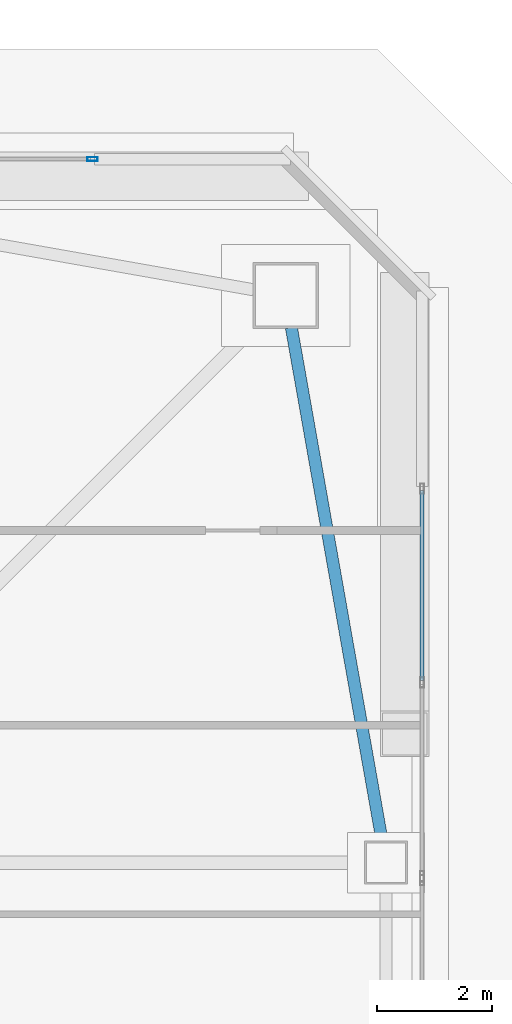
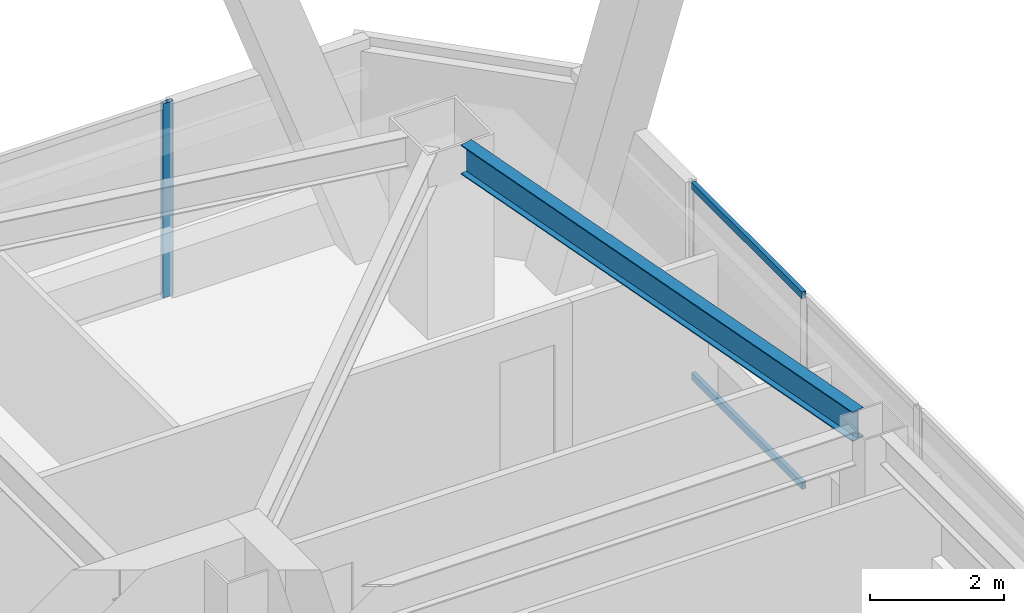
# One storey, part 24 of 65: 3 members, 1 beam, 2 elements without a shape of their own.
"""IFC4 building model written with IfcOpenShell, lengths in metres."""

from ifc_helpers import new_model, si_unit, direction, frame, origin, origin_2d, place, context, subcontext, project, spatial, hollow_rectangle, i_section, extrude, material, material_profile, profile_set, type_object, element, aggregate, save


model = new_model("IFC4")

# Units and contexts
model_context = context("Model", 3, precision=1e-05, world=origin(), true_north=direction((0.0, 1.0)))
body_context = subcontext(model_context, "Body", "Model", "MODEL_VIEW")
ifc_project = project(units=[si_unit("LENGTHUNIT", "METRE"), si_unit("AREAUNIT", "SQUARE_METRE"), si_unit("VOLUMEUNIT", "CUBIC_METRE"), si_unit("PLANEANGLEUNIT", "RADIAN"), si_unit("MASSUNIT", "GRAM", prefix="KILO")], contexts=[model_context])

# Site, building, storey
site_placement = place(None, origin())
site = spatial("IfcSite", under=ifc_project, at=site_placement, CompositionType="ELEMENT")
building_placement = place(site_placement, origin())
building = spatial("IfcBuilding", under=site, at=building_placement, Name="Tashvorn Skyway Center", CompositionType="ELEMENT")
storey_placement = place(building_placement, frame((0.0, 0.0, 157.0)))
storey = spatial("IfcBuildingStorey", under=building, at=storey_placement, Name="L42", CompositionType="ELEMENT", Elevation=157.0)

# Beam
ifc_material_1 = material(Name="Steel ASTM A992 Grade 50", Category="steel")
ifc_material_profile_1 = material_profile(ifc_material_1, i_section(OverallWidth=0.2109375, OverallDepth=0.5390625, WebThickness=0.01171875, FlangeThickness=0.018798828125, at=origin_2d()), Name="W21X73")
ifc_profile_set_1 = profile_set([ifc_material_profile_1], Name="Steel ASTM A992 Grade 50")
beam_type = type_object("IfcBeamType", Name="BM-SPANDREL-W21X73", PredefinedType="SPANDREL", material=ifc_profile_set_1)
beam_placement = place(storey_placement, frame((58.985595703125, 37.764404296875, 3.1005859375), z_axis=(-0.174074160933, 0.984732545667, 0.0), x_axis=(-0.984732545667, -0.174074160933, 0.0)))
element("IfcBeam", 1, at=beam_placement, inside=storey, type_object=beam_type, Name="Tower 1 L42 Spandrel Beam 06", PredefinedType="SPANDREL", context=body_context, shape_type="SweptSolid", body=[
    extrude(i_section(OverallWidth=0.2109375, OverallDepth=0.5390625, WebThickness=0.01171875, FlangeThickness=0.018798828125, at=origin_2d()), origin(), (0.0, 0.0, 1.0), 9.113525390625),
])

# Curtain wall, member
ifc_material_2 = material(Name="Thermally broken bronze-anodized aluminium 6063-T6", Category="aluminium")
curtain_wall_type = type_object("IfcCurtainWallType", Name="CW-CW-Z4", PredefinedType="NOTDEFINED", material=ifc_material_2)
curtain_wall_1_placement = place(storey_placement, origin())
curtain_wall_1 = element("IfcCurtainWall", 2, at=curtain_wall_1_placement, inside=storey, type_object=curtain_wall_type, Name="Tower 1 L42 North Unitised Curtain Wall Glazing Group 3", PredefinedType="NOTDEFINED")
ifc_material_profile_2 = material_profile(ifc_material_2, hollow_rectangle(XDim=0.070068359375, YDim=0.179931640625, WallThickness=0.00390625, at=origin_2d()), Name="ALU-MULL-70x180")
ifc_profile_set_2 = profile_set([ifc_material_profile_2], Name="Thermally broken bronze-anodized aluminium 6063-T6")
member_type_1 = type_object("IfcMemberType", Name="CWM-CW-Z4", PredefinedType="MULLION", material=ifc_profile_set_2)
member_1_placement = place(storey_placement, frame((53.92724609375, 49.679931640625, 0.0), z_axis=(0.0, 0.0, 1.0), x_axis=(0.0, 1.0, 0.0)))
member_1 = element("IfcMember", 3, at=member_1_placement, type_object=member_type_1, Name="CW-Z4 mullion 3", PredefinedType="MULLION", context=body_context, shape_type="SweptSolid", body=[
    extrude(hollow_rectangle(XDim=0.070068359375, YDim=0.179931640625, WallThickness=0.00390625, at=origin_2d()), origin(), (0.0, 0.0, 1.0), 3.550048828125),
])
aggregate(curtain_wall_1, [member_1])

# Curtain wall, members
curtain_wall_2_placement = place(storey_placement, origin())
curtain_wall_2 = element("IfcCurtainWall", 4, at=curtain_wall_2_placement, inside=storey, type_object=curtain_wall_type, Name="Tower 1 L42 East Unitised Curtain Wall Glazing Group 1", PredefinedType="NOTDEFINED")
ifc_material_profile_3 = material_profile(ifc_material_2, hollow_rectangle(XDim=0.070068359375, YDim=0.1298828125, WallThickness=0.00390625, at=origin_2d()), Name="ALU-TRAN-70x130")
ifc_profile_set_3 = profile_set([ifc_material_profile_3], Name="Thermally broken bronze-anodized aluminium 6063-T6")
member_type_2 = type_object("IfcMemberType", Name="CWT-CW-Z4", PredefinedType="USERDEFINED", material=ifc_profile_set_3)
member_2_placement = place(storey_placement, frame((59.679931640625, 43.89208984375, 0.034912109375), z_axis=(0.0, -1.0, 0.0), x_axis=(1.0, 0.0, 0.0)))
member_2 = element("IfcMember", 5, at=member_2_placement, type_object=member_type_2, Name="CW-Z4 transom 1.1", ObjectType="TRANSOM", PredefinedType="USERDEFINED", context=body_context, shape_type="SweptSolid", body=[
    extrude(hollow_rectangle(XDim=0.070068359375, YDim=0.1298828125, WallThickness=0.00390625, at=origin_2d()), origin(), (0.0, 0.0, 1.0), 3.312744140625),
])
member_3_placement = place(storey_placement, frame((59.679931640625, 43.89208984375, 3.514892578125), z_axis=(0.0, -1.0, 0.0), x_axis=(1.0, 0.0, 0.0)))
member_3 = element("IfcMember", 6, at=member_3_placement, type_object=member_type_2, Name="CW-Z4 transom 1.2", ObjectType="TRANSOM", PredefinedType="USERDEFINED", context=body_context, shape_type="SweptSolid", body=[
    extrude(hollow_rectangle(XDim=0.070068359375, YDim=0.1298828125, WallThickness=0.00390625, at=origin_2d()), origin(), (0.0, 0.0, 1.0), 3.312744140625),
])
aggregate(curtain_wall_2, [member_2, member_3])

save(model, "model.ifc")
